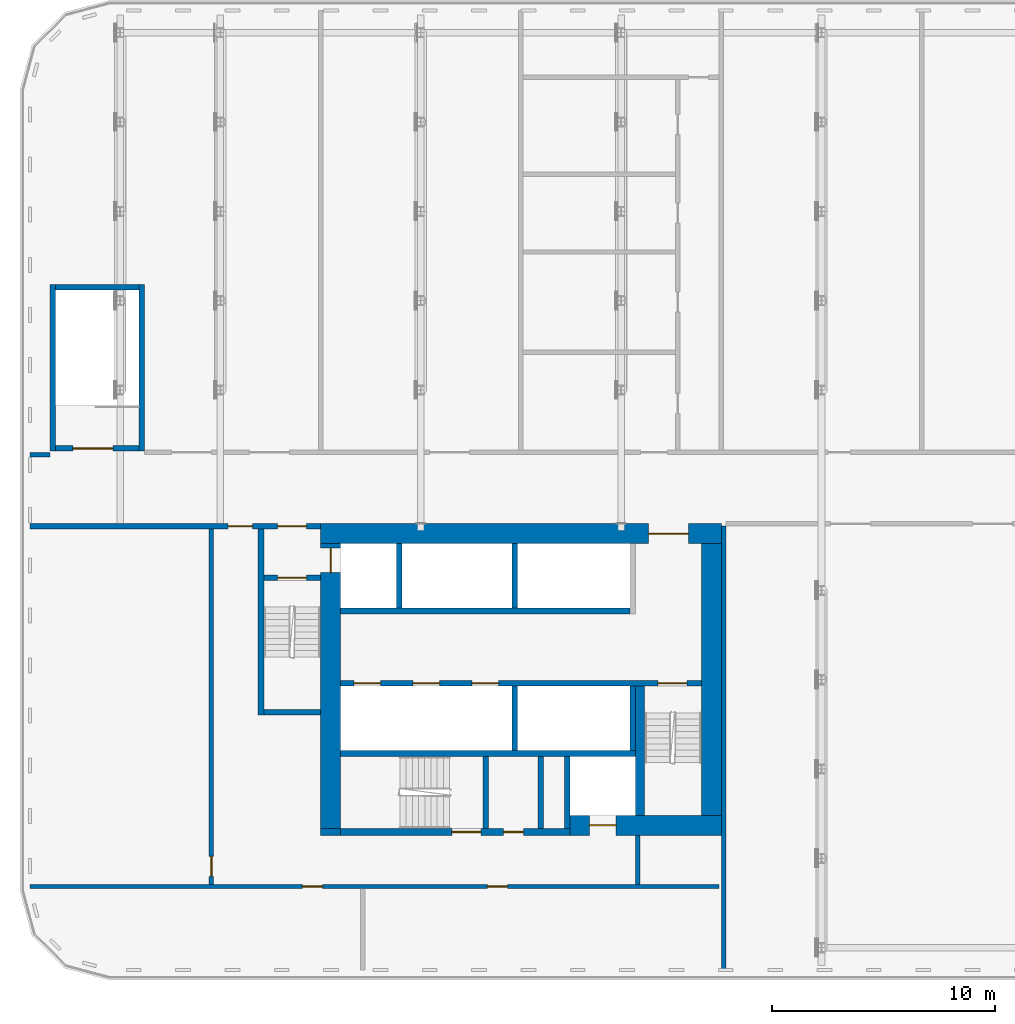
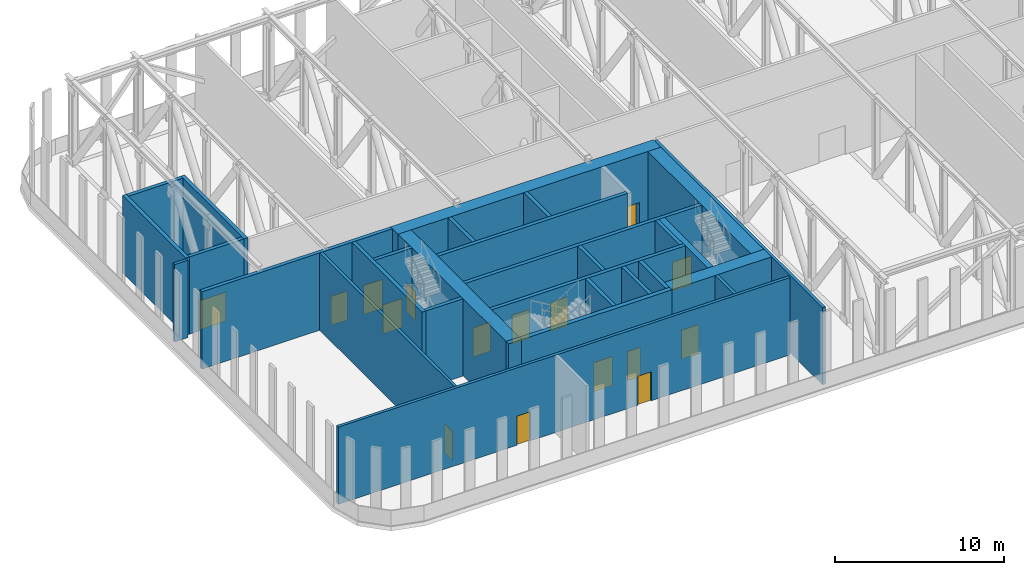
# One storey, part 6 of 26: 30 walls, 16 doors, 16 openings.
"""IFC4 building model written with IfcOpenShell, lengths in metres."""

from ifc_helpers import new_model, si_unit, direction, frame, frame_2d, origin, place, context, subcontext, project, spatial, rectangle, extrude, material, layer, layer_set, type_object, element, fill, save


model = new_model("IFC4")

# Units and contexts
model_context = context("Model", 3, precision=1e-05, world=origin(), true_north=direction((0.0, 1.0)))
body_context = subcontext(model_context, "Body", "Model", "MODEL_VIEW")
ifc_project = project(units=[si_unit("LENGTHUNIT", "METRE"), si_unit("AREAUNIT", "SQUARE_METRE"), si_unit("VOLUMEUNIT", "CUBIC_METRE"), si_unit("PLANEANGLEUNIT", "RADIAN"), si_unit("MASSUNIT", "GRAM", prefix="KILO")], contexts=[model_context])

# Site, building, storey
site_placement = place(None, origin())
site = spatial("IfcSite", under=ifc_project, at=site_placement, CompositionType="ELEMENT")
building_placement = place(site_placement, origin())
building = spatial("IfcBuilding", under=site, at=building_placement, Name="Kajstack Hotel Tower", CompositionType="ELEMENT")
storey_placement = place(building_placement, frame((0.0, 0.0, 47.0)))
storey = spatial("IfcBuildingStorey", under=building, at=storey_placement, Name="L07", CompositionType="ELEMENT", Elevation=47.0)

# Wall, opening, door
ifc_material_1 = material(Name="Concrete C60/75", Category="concrete")
ifc_layer_1 = layer(ifc_material_1, 0.89990234375)
ifc_layer_set_1 = layer_set([ifc_layer_1], Name="Core wall 900")
wall_type_1 = type_object("IfcWallType", Name="Core wall 900", PredefinedType="SHEAR", material=ifc_layer_set_1)
wall_1_placement = place(storey_placement, frame((-31.5, -1.949951171875, 0.0), z_axis=(0.0, 0.0, 1.0), x_axis=(1.0, 0.0, 0.0)))
wall_1 = element("IfcWall", 1, at=wall_1_placement, inside=storey, type_object=wall_type_1, Name="Core wall W RN", PredefinedType="SHEAR", context=body_context, shape_type="SweptSolid", body=[
    extrude(rectangle(XDim=18.0, YDim=0.89990234375, at=frame_2d((9.0, 0.0))), origin(), (0.0, 0.0, 1.0), 5.60009765625),
])
opening_1_placement = place(wall_1_placement, frame((14.72509765625, 0.0, 0.0)))
opening_1 = element("IfcOpeningElement", 2, at=opening_1_placement, cuts=wall_1, Name="Opening 07W06", PredefinedType="OPENING", context=body_context, shape_type="SweptSolid", body=[
    extrude(rectangle(XDim=1.800048828125, YDim=2.10009765625, at=frame_2d((0.89990234375, 1.050048828125))), frame((0.0, 0.4599609375, 0.0), z_axis=(0.0, -1.0, 0.0), x_axis=(1.0, 0.0, 0.0)), (0.0, 0.0, 1.0), 0.919921875),
])
ifc_material_2 = material(Name="Glazed steel frame, fire-rated glass", Category="steel")
door_type_1 = type_object("IfcDoorType", Name="Lobby double door 1800", OperationType="DOUBLE_DOOR_DOUBLE_SWING", PredefinedType="DOOR", material=ifc_material_2)
door_1_placement = place(opening_1_placement, origin())
door_1 = element("IfcDoor", 3, at=door_1_placement, inside=storey, type_object=door_type_1, Name="Door 07W06", OperationType="DOUBLE_DOOR_DOUBLE_SWING", OverallHeight=2.10009765625, OverallWidth=1.800048828125, PredefinedType="DOOR", context=body_context, shape_type="SweptSolid", body=[
    extrude(rectangle(XDim=1.800048828125, YDim=2.10009765625, at=frame_2d((0.89990234375, 1.050048828125))), frame((0.0, 0.02490234375, 0.0), z_axis=(0.0, -1.0, 0.0), x_axis=(1.0, 0.0, 0.0)), (0.0, 0.0, 1.0), 0.050048828125),
])
fill(opening_1, door_1)

wall_2_placement = place(storey_placement, frame((-20.300048828125, -15.050048828125, 0.0), z_axis=(0.0, 0.0, 1.0), x_axis=(1.0, 0.0, 0.0)))
wall_2 = element("IfcWall", 4, at=wall_2_placement, inside=storey, type_object=wall_type_1, Name="Core wall W RS", PredefinedType="SHEAR", context=body_context, shape_type="SweptSolid", body=[
    extrude(rectangle(XDim=6.800048828125, YDim=0.89990234375, at=frame_2d((3.39990234375, 0.0))), origin(), (0.0, 0.0, 1.0), 5.60009765625),
])
opening_2_placement = place(wall_2_placement, frame((0.875, 0.0, 0.0)))
opening_2 = element("IfcOpeningElement", 5, at=opening_2_placement, cuts=wall_2, Name="Opening LD-SV1", PredefinedType="OPENING", context=body_context, shape_type="SweptSolid", body=[
    extrude(rectangle(XDim=1.199951171875, YDim=2.10009765625, at=frame_2d((0.60009765625, 1.050048828125))), frame((0.0, 0.4599609375, 0.0), z_axis=(0.0, -1.0, 0.0), x_axis=(1.0, 0.0, 0.0)), (0.0, 0.0, 1.0), 0.919921875),
])
ifc_material_3 = material(Name="Stainless steel", Category="steel")
door_type_2 = type_object("IfcDoorType", Name="Lift landing door 1200", OperationType="SLIDING_TO_LEFT", PredefinedType="DOOR", material=ifc_material_3)
door_2_placement = place(opening_2_placement, origin())
door_2 = element("IfcDoor", 6, at=door_2_placement, inside=storey, type_object=door_type_2, Name="Landing door SV1", OperationType="SLIDING_TO_LEFT", OverallHeight=2.10009765625, OverallWidth=1.199951171875, PredefinedType="DOOR", context=body_context, shape_type="SweptSolid", body=[
    extrude(rectangle(XDim=1.199951171875, YDim=2.10009765625, at=frame_2d((0.60009765625, 1.050048828125))), frame((0.0, 0.02490234375, 0.0), z_axis=(0.0, -1.0, 0.0), x_axis=(1.0, 0.0, 0.0)), (0.0, 0.0, 1.0), 0.050048828125),
])
fill(opening_2, door_2)

# Wall
wall_3_placement = place(storey_placement, frame((-31.5, -15.35009765625, 0.0), z_axis=(0.0, 0.0, 1.0), x_axis=(1.0, 0.0, 0.0)))
element("IfcWall", 7, at=wall_3_placement, inside=storey, type_object=wall_type_1, Name="Core wall W RSW", PredefinedType="SHEAR", context=body_context, shape_type="SweptSolid", body=[
    extrude(rectangle(XDim=0.89990234375, YDim=0.300048828125, at=frame_2d((0.449951171875, 0.0))), origin(), (0.0, 0.0, 1.0), 5.60009765625),
])

# Wall, opening, door
wall_4_placement = place(storey_placement, frame((-31.050048828125, -15.199951171875, 0.0), z_axis=(0.0, 0.0, 1.0), x_axis=(0.0, 1.0, 0.0)))
wall_4 = element("IfcWall", 8, at=wall_4_placement, inside=storey, type_object=wall_type_1, Name="Core wall W RW", PredefinedType="SHEAR", context=body_context, shape_type="SweptSolid", body=[
    extrude(rectangle(XDim=12.800048828125, YDim=0.89990234375, at=frame_2d((6.39990234375, 0.0))), origin(), (0.0, 0.0, 1.0), 5.60009765625),
])
opening_3_placement = place(wall_4_placement, frame((11.5, 0.0, 0.0)))
opening_3 = element("IfcOpeningElement", 9, at=opening_3_placement, cuts=wall_4, Name="Opening LD-FF1", PredefinedType="OPENING", context=body_context, shape_type="SweptSolid", body=[
    extrude(rectangle(XDim=1.10009765625, YDim=2.10009765625, at=frame_2d((0.550048828125, 1.050048828125))), frame((0.0, 0.4599609375, 0.0), z_axis=(0.0, -1.0, 0.0), x_axis=(1.0, 0.0, 0.0)), (0.0, 0.0, 1.0), 0.919921875),
])
door_type_3 = type_object("IfcDoorType", Name="Fire-fighting lift landing door 1100", OperationType="SLIDING_TO_LEFT", PredefinedType="DOOR", material=ifc_material_3)
door_3_placement = place(opening_3_placement, origin())
door_3 = element("IfcDoor", 10, at=door_3_placement, inside=storey, type_object=door_type_3, Name="Landing door FF1", OperationType="SLIDING_TO_RIGHT", OverallHeight=2.10009765625, OverallWidth=1.10009765625, PredefinedType="DOOR", context=body_context, shape_type="SweptSolid", body=[
    extrude(rectangle(XDim=1.10009765625, YDim=2.10009765625, at=frame_2d((0.550048828125, 1.050048828125))), frame((0.0, 0.02490234375, 0.0), z_axis=(0.0, -1.0, 0.0), x_axis=(1.0, 0.0, 0.0)), (0.0, 0.0, 1.0), 0.050048828125),
])
fill(opening_3, door_3)

# Walls
wall_5_placement = place(storey_placement, frame((-13.949951171875, -14.60009765625, 0.0), z_axis=(0.0, 0.0, 1.0), x_axis=(0.0, 1.0, 0.0)))
element("IfcWall", 11, at=wall_5_placement, inside=storey, type_object=wall_type_1, Name="Core wall W RE", PredefinedType="SHEAR", context=body_context, shape_type="SweptSolid", body=[
    extrude(rectangle(XDim=12.2001953125, YDim=0.89990234375, at=frame_2d((6.10009765625, 0.0))), origin(), (0.0, 0.0, 1.0), 5.60009765625),
])
ifc_material_4 = material(Name="Concrete C50/60", Category="concrete")
ifc_layer_2 = layer(ifc_material_4, 0.300048828125)
ifc_layer_set_2 = layer_set([ifc_layer_2], Name="Hoistway divider wall 300")
wall_type_2 = type_object("IfcWallType", Name="Hoistway divider wall 300", PredefinedType="SHEAR", material=ifc_layer_set_2)
wall_6_placement = place(storey_placement, frame((-22.77490234375, -5.300048828125, 0.0), z_axis=(0.0, 0.0, 1.0), x_axis=(0.0, 1.0, 0.0)))
element("IfcWall", 12, at=wall_6_placement, inside=storey, type_object=wall_type_2, Name="Core wall W AP2", PredefinedType="SHEAR", context=body_context, shape_type="SweptSolid", body=[
    extrude(rectangle(XDim=2.900146484375, YDim=0.25, at=frame_2d((1.4501953125, 0.0))), origin(), (0.0, 0.0, 1.0), 5.60009765625),
])
wall_7_placement = place(storey_placement, frame((-22.77490234375, -11.699951171875, 0.0), z_axis=(0.0, 0.0, 1.0), x_axis=(0.0, 1.0, 0.0)))
element("IfcWall", 13, at=wall_7_placement, inside=storey, type_object=wall_type_2, Name="Core wall W BP2", PredefinedType="SHEAR", context=body_context, shape_type="SweptSolid", body=[
    extrude(rectangle(XDim=2.89990234375, YDim=0.25, at=frame_2d((1.449951171875, 0.0))), origin(), (0.0, 0.0, 1.0), 5.60009765625),
])
ifc_material_5 = material(Name="Gypsum board on steel studs, mineral wool", Category="steel")
ifc_layer_3 = layer(ifc_material_5, 0.199951171875)
ifc_layer_set_3 = layer_set([ifc_layer_3], Name="Public partition 200")
wall_type_3 = type_object("IfcWallType", Name="Public partition 200", PredefinedType="PARTITIONING", material=ifc_layer_set_3)
wall_8_placement = place(storey_placement, frame((-44.550048828125, 1.60009765625, 0.0), z_axis=(0.0, 0.0, 1.0), x_axis=(1.0, 0.0, 0.0)))
element("IfcWall", 14, at=wall_8_placement, inside=storey, type_object=wall_type_3, Name="Partition FWW", PredefinedType="PARTITIONING", context=body_context, shape_type="SweptSolid", body=[
    extrude(rectangle(XDim=0.900146484375, YDim=0.199951171875, at=frame_2d((0.4501953125, 0.0))), origin(), (0.0, 0.0, 1.0), 5.60009765625),
])
wall_9_placement = place(storey_placement, frame((-13.39990234375, -21.550048828125, 0.0), z_axis=(0.0, 0.0, 1.0), x_axis=(0.0, 1.0, 0.0)))
element("IfcWall", 15, at=wall_9_placement, inside=storey, type_object=wall_type_3, Name="Partition SEW", PredefinedType="PARTITIONING", context=body_context, shape_type="SweptSolid", body=[
    extrude(rectangle(XDim=19.949951171875, YDim=0.199951171875, at=frame_2d((9.97509765625, 0.0))), origin(), (0.0, 0.0, 1.0), 5.60009765625),
])
ifc_material_6 = material(Name="Concrete block masonry", Category="masonry")
ifc_layer_4 = layer(ifc_material_6, 0.25)
ifc_layer_set_4 = layer_set([ifc_layer_4], Name="Riser partition 250")
wall_type_4 = type_object("IfcWallType", Name="Riser partition 250", PredefinedType="PARTITIONING", material=ifc_layer_set_4)
wall_10_placement = place(storey_placement, frame((-21.60009765625, -15.199951171875, 0.0), z_axis=(0.0, 0.0, 1.0), x_axis=(0.0, 1.0, 0.0)))
element("IfcWall", 16, at=wall_10_placement, inside=storey, type_object=wall_type_4, Name="Partition W SZ0", PredefinedType="PARTITIONING", context=body_context, shape_type="SweptSolid", body=[
    extrude(rectangle(XDim=3.25, YDim=0.25, at=frame_2d((1.625, 0.0))), origin(), (0.0, 0.0, 1.0), 5.60009765625),
])

# Wall, openings, doors
ifc_layer_5 = layer(ifc_material_5, 0.199951171875)
ifc_layer_set_5 = layer_set([ifc_layer_5], Name="Service partition 200")
wall_type_5 = type_object("IfcWallType", Name="Service partition 200", PredefinedType="PARTITIONING", material=ifc_layer_set_5)
wall_11_placement = place(storey_placement, frame((-44.550048828125, -1.625, 0.0), z_axis=(0.0, 0.0, 1.0), x_axis=(1.0, 0.0, 0.0)))
wall_11 = element("IfcWall", 17, at=wall_11_placement, inside=storey, type_object=wall_type_5, Name="Partition W SN", PredefinedType="PARTITIONING", context=body_context, shape_type="SweptSolid", body=[
    extrude(rectangle(XDim=13.050048828125, YDim=0.25, at=frame_2d((6.52490234375, 0.0))), origin(), (0.0, 0.0, 1.0), 5.60009765625),
])
opening_4_placement = place(wall_11_placement, frame((11.125, 0.0, 0.0)))
opening_4 = element("IfcOpeningElement", 18, at=opening_4_placement, cuts=wall_11, Name="Opening 07W07", PredefinedType="OPENING", context=body_context, shape_type="SweptSolid", body=[
    extrude(rectangle(XDim=1.300048828125, YDim=2.10009765625, at=frame_2d((0.64990234375, 1.050048828125))), frame((0.0, 0.135009765625, 0.0), z_axis=(0.0, -1.0, 0.0), x_axis=(1.0, 0.0, 0.0)), (0.0, 0.0, 1.0), 0.27001953125),
])
opening_5_placement = place(wall_11_placement, frame((8.89990234375, 0.0, 0.0)))
opening_5 = element("IfcOpeningElement", 19, at=opening_5_placement, cuts=wall_11, Name="Opening 07W09", PredefinedType="OPENING", context=body_context, shape_type="SweptSolid", body=[
    extrude(rectangle(XDim=1.10009765625, YDim=2.10009765625, at=frame_2d((0.550048828125, 1.050048828125))), frame((0.0, 0.135009765625, 0.0), z_axis=(0.0, -1.0, 0.0), x_axis=(1.0, 0.0, 0.0)), (0.0, 0.0, 1.0), 0.27001953125),
])
ifc_material_7 = material(Name="Steel leaf, fire-rated", Category="steel")
door_type_4 = type_object("IfcDoorType", Name="Fire lobby door 1300", OperationType="SINGLE_SWING_LEFT", PredefinedType="DOOR", material=ifc_material_7)
door_4_placement = place(opening_4_placement, origin())
door_4 = element("IfcDoor", 20, at=door_4_placement, inside=storey, type_object=door_type_4, Name="Door 07W07", OperationType="SINGLE_SWING_RIGHT", OverallHeight=2.10009765625, OverallWidth=1.300048828125, PredefinedType="DOOR", context=body_context, shape_type="SweptSolid", body=[
    extrude(rectangle(XDim=1.300048828125, YDim=2.10009765625, at=frame_2d((0.64990234375, 1.050048828125))), frame((0.0, 0.02490234375, 0.0), z_axis=(0.0, -1.0, 0.0), x_axis=(1.0, 0.0, 0.0)), (0.0, 0.0, 1.0), 0.050048828125),
])
fill(opening_4, door_4)
ifc_material_8 = material(Name="Timber leaf, fire-rated", Category="wood")
door_type_5 = type_object("IfcDoorType", Name="Service corridor door 1100", OperationType="SINGLE_SWING_LEFT", PredefinedType="DOOR", material=ifc_material_8)
door_5_placement = place(opening_5_placement, origin())
door_5 = element("IfcDoor", 21, at=door_5_placement, inside=storey, type_object=door_type_5, Name="Door 07W09", OperationType="SINGLE_SWING_RIGHT", OverallHeight=2.10009765625, OverallWidth=1.10009765625, PredefinedType="DOOR", context=body_context, shape_type="SweptSolid", body=[
    extrude(rectangle(XDim=1.10009765625, YDim=2.10009765625, at=frame_2d((0.550048828125, 1.050048828125))), frame((0.0, 0.02490234375, 0.0), z_axis=(0.0, -1.0, 0.0), x_axis=(1.0, 0.0, 0.0)), (0.0, 0.0, 1.0), 0.050048828125),
])
fill(opening_5, door_5)

# Wall
wall_12_placement = place(storey_placement, frame((-17.25, -17.699951171875, 0.0), z_axis=(0.0, 0.0, 1.0), x_axis=(0.0, 1.0, 0.0)))
element("IfcWall", 22, at=wall_12_placement, inside=storey, type_object=wall_type_5, Name="Partition W SCE", PredefinedType="PARTITIONING", context=body_context, shape_type="SweptSolid", body=[
    extrude(rectangle(XDim=2.199951171875, YDim=0.199951171875, at=frame_2d((1.10009765625, 0.0))), origin(), (0.0, 0.0, 1.0), 5.60009765625),
])

# Wall, opening, door
wall_13_placement = place(storey_placement, frame((-36.39990234375, -17.699951171875, 0.0), z_axis=(0.0, 0.0, 1.0), x_axis=(0.0, 1.0, 0.0)))
wall_13 = element("IfcWall", 23, at=wall_13_placement, inside=storey, type_object=wall_type_5, Name="Partition W WRE", PredefinedType="PARTITIONING", context=body_context, shape_type="SweptSolid", body=[
    extrude(rectangle(XDim=15.949951171875, YDim=0.199951171875, at=frame_2d((7.97509765625, 0.0))), origin(), (0.0, 0.0, 1.0), 5.60009765625),
])
opening_6_placement = place(wall_13_placement, frame((0.35009765625, 0.0, 0.0)))
opening_6 = element("IfcOpeningElement", 24, at=opening_6_placement, cuts=wall_13, Name="Opening 07W15", PredefinedType="OPENING", context=body_context, shape_type="SweptSolid", body=[
    extrude(rectangle(XDim=0.89990234375, YDim=2.10009765625, at=frame_2d((0.449951171875, 1.050048828125))), frame((0.0, 0.10986328125, 0.0), z_axis=(0.0, -1.0, 0.0), x_axis=(1.0, 0.0, 0.0)), (0.0, 0.0, 1.0), 0.219970703125),
])
door_type_6 = type_object("IfcDoorType", Name="Service door 900", OperationType="SINGLE_SWING_LEFT", PredefinedType="DOOR", material=ifc_material_8)
door_6_placement = place(opening_6_placement, origin())
door_6 = element("IfcDoor", 25, at=door_6_placement, inside=storey, type_object=door_type_6, Name="Door 07W15", OperationType="SINGLE_SWING_LEFT", OverallHeight=2.10009765625, OverallWidth=0.89990234375, PredefinedType="DOOR", context=body_context, shape_type="SweptSolid", body=[
    extrude(rectangle(XDim=0.89990234375, YDim=2.10009765625, at=frame_2d((0.449951171875, 1.050048828125))), frame((0.0, 0.02490234375, 0.0), z_axis=(0.0, -1.0, 0.0), x_axis=(1.0, 0.0, 0.0)), (0.0, 0.0, 1.0), 0.050048828125),
])
fill(opening_6, door_6)

# Wall, openings, doors
wall_14_placement = place(storey_placement, frame((-44.550048828125, -17.800048828125, 0.0), z_axis=(0.0, 0.0, 1.0), x_axis=(1.0, 0.0, 0.0)))
wall_14 = element("IfcWall", 26, at=wall_14_placement, inside=storey, type_object=wall_type_5, Name="Partition W SLN", PredefinedType="PARTITIONING", context=body_context, shape_type="SweptSolid", body=[
    extrude(rectangle(XDim=30.949951171875, YDim=0.199951171875, at=frame_2d((15.47509765625, 0.0))), origin(), (0.0, 0.0, 1.0), 5.60009765625),
])
opening_7_placement = place(wall_14_placement, frame((12.237548828125, 0.0, 0.0)))
opening_7 = element("IfcOpeningElement", 27, at=opening_7_placement, cuts=wall_14, Name="Opening 07W13", PredefinedType="OPENING", context=body_context, shape_type="SweptSolid", body=[
    extrude(rectangle(XDim=0.89990234375, YDim=2.10009765625, at=frame_2d((0.449951171875, 1.050048828125))), frame((0.0, 0.10986328125, 0.0), z_axis=(0.0, -1.0, 0.0), x_axis=(1.0, 0.0, 0.0)), (0.0, 0.0, 1.0), 0.219970703125),
])
opening_8_placement = place(wall_14_placement, frame((20.53759765625, 0.0, 0.0)))
opening_8 = element("IfcOpeningElement", 28, at=opening_8_placement, cuts=wall_14, Name="Opening 07W14", PredefinedType="OPENING", context=body_context, shape_type="SweptSolid", body=[
    extrude(rectangle(XDim=0.89990234375, YDim=2.10009765625, at=frame_2d((0.449951171875, 1.050048828125))), frame((0.0, 0.10986328125, 0.0), z_axis=(0.0, -1.0, 0.0), x_axis=(1.0, 0.0, 0.0)), (0.0, 0.0, 1.0), 0.219970703125),
])
door_7_placement = place(opening_7_placement, origin())
door_7 = element("IfcDoor", 29, at=door_7_placement, inside=storey, type_object=door_type_6, Name="Door 07W13", OperationType="SINGLE_SWING_RIGHT", OverallHeight=2.10009765625, OverallWidth=0.89990234375, PredefinedType="DOOR", context=body_context, shape_type="SweptSolid", body=[
    extrude(rectangle(XDim=0.89990234375, YDim=2.10009765625, at=frame_2d((0.449951171875, 1.050048828125))), frame((0.0, 0.02490234375, 0.0), z_axis=(0.0, -1.0, 0.0), x_axis=(1.0, 0.0, 0.0)), (0.0, 0.0, 1.0), 0.050048828125),
])
fill(opening_7, door_7)
door_8_placement = place(opening_8_placement, origin())
door_8 = element("IfcDoor", 30, at=door_8_placement, inside=storey, type_object=door_type_6, Name="Door 07W14", OperationType="SINGLE_SWING_RIGHT", OverallHeight=2.10009765625, OverallWidth=0.89990234375, PredefinedType="DOOR", context=body_context, shape_type="SweptSolid", body=[
    extrude(rectangle(XDim=0.89990234375, YDim=2.10009765625, at=frame_2d((0.449951171875, 1.050048828125))), frame((0.0, 0.02490234375, 0.0), z_axis=(0.0, -1.0, 0.0), x_axis=(1.0, 0.0, 0.0)), (0.0, 0.0, 1.0), 0.050048828125),
])
fill(opening_8, door_8)

ifc_layer_6 = layer(ifc_material_4, 0.25)
ifc_layer_set_6 = layer_set([ifc_layer_6], Name="Shaft wall 250")
wall_type_6 = type_object("IfcWallType", Name="Shaft wall 250", PredefinedType="SHEAR", material=ifc_layer_set_6)
wall_15_placement = place(storey_placement, frame((-30.60009765625, -15.35009765625, 0.0), z_axis=(0.0, 0.0, 1.0), x_axis=(1.0, 0.0, 0.0)))
wall_15 = element("IfcWall", 31, at=wall_15_placement, inside=storey, type_object=wall_type_6, Name="Core wall W RSS", PredefinedType="SHEAR", context=body_context, shape_type="SweptSolid", body=[
    extrude(rectangle(XDim=10.300048828125, YDim=0.300048828125, at=frame_2d((5.14990234375, 0.0))), origin(), (0.0, 0.0, 1.0), 5.60009765625),
])
opening_9_placement = place(wall_15_placement, frame((5.0, 0.0, 0.0)))
opening_9 = element("IfcOpeningElement", 32, at=opening_9_placement, cuts=wall_15, Name="Opening 07W11", PredefinedType="OPENING", context=body_context, shape_type="SweptSolid", body=[
    extrude(rectangle(XDim=1.300048828125, YDim=2.10009765625, at=frame_2d((0.64990234375, 1.050048828125))), frame((0.0, 0.159912109375, 0.0), z_axis=(0.0, -1.0, 0.0), x_axis=(1.0, 0.0, 0.0)), (0.0, 0.0, 1.0), 0.320068359375),
])
opening_10_placement = place(wall_15_placement, frame((7.3125, 0.0, 0.0)))
opening_10 = element("IfcOpeningElement", 33, at=opening_10_placement, cuts=wall_15, Name="Opening 07W12", PredefinedType="OPENING", context=body_context, shape_type="SweptSolid", body=[
    extrude(rectangle(XDim=0.89990234375, YDim=2.10009765625, at=frame_2d((0.449951171875, 1.050048828125))), frame((0.0, 0.159912109375, 0.0), z_axis=(0.0, -1.0, 0.0), x_axis=(1.0, 0.0, 0.0)), (0.0, 0.0, 1.0), 0.320068359375),
])
door_9_placement = place(opening_10_placement, origin())
door_9 = element("IfcDoor", 34, at=door_9_placement, inside=storey, type_object=door_type_6, Name="Door 07W12", OperationType="SINGLE_SWING_LEFT", OverallHeight=2.10009765625, OverallWidth=0.89990234375, PredefinedType="DOOR", context=body_context, shape_type="SweptSolid", body=[
    extrude(rectangle(XDim=0.89990234375, YDim=2.10009765625, at=frame_2d((0.449951171875, 1.050048828125))), frame((0.0, 0.02490234375, 0.0), z_axis=(0.0, -1.0, 0.0), x_axis=(1.0, 0.0, 0.0)), (0.0, 0.0, 1.0), 0.050048828125),
])
fill(opening_10, door_9)
door_type_7 = type_object("IfcDoorType", Name="Stair door 1300", OperationType="SINGLE_SWING_LEFT", PredefinedType="DOOR", material=ifc_material_7)
door_10_placement = place(opening_9_placement, origin())
door_10 = element("IfcDoor", 35, at=door_10_placement, inside=storey, type_object=door_type_7, Name="Door 07W11", OperationType="SINGLE_SWING_RIGHT", OverallHeight=2.10009765625, OverallWidth=1.300048828125, PredefinedType="DOOR", context=body_context, shape_type="SweptSolid", body=[
    extrude(rectangle(XDim=1.300048828125, YDim=2.10009765625, at=frame_2d((0.64990234375, 1.050048828125))), frame((0.0, 0.02490234375, 0.0), z_axis=(0.0, -1.0, 0.0), x_axis=(1.0, 0.0, 0.0)), (0.0, 0.0, 1.0), 0.050048828125),
])
fill(opening_9, door_10)

# Walls
wall_16_placement = place(storey_placement, frame((-30.60009765625, -5.425048828125, 0.0), z_axis=(0.0, 0.0, 1.0), x_axis=(1.0, 0.0, 0.0)))
element("IfcWall", 36, at=wall_16_placement, inside=storey, type_object=wall_type_6, Name="Core wall W FA", PredefinedType="SHEAR", context=body_context, shape_type="SweptSolid", body=[
    extrude(rectangle(XDim=13.0, YDim=0.25, at=frame_2d((6.5, 0.0))), origin(), (0.0, 0.0, 1.0), 5.60009765625),
])
wall_17_placement = place(storey_placement, frame((-27.97509765625, -5.300048828125, 0.0), z_axis=(0.0, 0.0, 1.0), x_axis=(0.0, 1.0, 0.0)))
element("IfcWall", 37, at=wall_17_placement, inside=storey, type_object=wall_type_6, Name="Core wall W AP0", PredefinedType="SHEAR", context=body_context, shape_type="SweptSolid", body=[
    extrude(rectangle(XDim=2.900146484375, YDim=0.25, at=frame_2d((1.4501953125, 0.0))), origin(), (0.0, 0.0, 1.0), 5.60009765625),
])

# Wall, openings, doors
wall_18_placement = place(storey_placement, frame((-30.60009765625, -8.675048828125, 0.0), z_axis=(0.0, 0.0, 1.0), x_axis=(1.0, 0.0, 0.0)))
wall_18 = element("IfcWall", 38, at=wall_18_placement, inside=storey, type_object=wall_type_6, Name="Core wall W FB", PredefinedType="SHEAR", context=body_context, shape_type="SweptSolid", body=[
    extrude(rectangle(XDim=16.2001953125, YDim=0.25, at=frame_2d((8.10009765625, 0.0))), origin(), (0.0, 0.0, 1.0), 5.60009765625),
])
opening_11_placement = place(wall_18_placement, frame((0.60009765625, 0.0, 0.0)))
opening_11 = element("IfcOpeningElement", 39, at=opening_11_placement, cuts=wall_18, Name="Opening LD-LR1", PredefinedType="OPENING", context=body_context, shape_type="SweptSolid", body=[
    extrude(rectangle(XDim=1.199951171875, YDim=2.10009765625, at=frame_2d((0.60009765625, 1.050048828125))), frame((0.0, 0.135009765625, 0.0), z_axis=(0.0, -1.0, 0.0), x_axis=(1.0, 0.0, 0.0)), (0.0, 0.0, 1.0), 0.27001953125),
])
opening_12_placement = place(wall_18_placement, frame((3.25, 0.0, 0.0)))
opening_12 = element("IfcOpeningElement", 40, at=opening_12_placement, cuts=wall_18, Name="Opening LD-LR2", PredefinedType="OPENING", context=body_context, shape_type="SweptSolid", body=[
    extrude(rectangle(XDim=1.199951171875, YDim=2.10009765625, at=frame_2d((0.60009765625, 1.050048828125))), frame((0.0, 0.135009765625, 0.0), z_axis=(0.0, -1.0, 0.0), x_axis=(1.0, 0.0, 0.0)), (0.0, 0.0, 1.0), 0.27001953125),
])
opening_13_placement = place(wall_18_placement, frame((5.89990234375, 0.0, 0.0)))
opening_13 = element("IfcOpeningElement", 41, at=opening_13_placement, cuts=wall_18, Name="Opening LD-LR3", PredefinedType="OPENING", context=body_context, shape_type="SweptSolid", body=[
    extrude(rectangle(XDim=1.199951171875, YDim=2.10009765625, at=frame_2d((0.60009765625, 1.050048828125))), frame((0.0, 0.135009765625, 0.0), z_axis=(0.0, -1.0, 0.0), x_axis=(1.0, 0.0, 0.0)), (0.0, 0.0, 1.0), 0.27001953125),
])
opening_14_placement = place(wall_18_placement, frame((14.25, 0.0, 0.0)))
opening_14 = element("IfcOpeningElement", 42, at=opening_14_placement, cuts=wall_18, Name="Opening 07W10", PredefinedType="OPENING", context=body_context, shape_type="SweptSolid", body=[
    extrude(rectangle(XDim=1.300048828125, YDim=2.10009765625, at=frame_2d((0.64990234375, 1.050048828125))), frame((0.0, 0.135009765625, 0.0), z_axis=(0.0, -1.0, 0.0), x_axis=(1.0, 0.0, 0.0)), (0.0, 0.0, 1.0), 0.27001953125),
])
door_11_placement = place(opening_11_placement, origin())
door_11 = element("IfcDoor", 43, at=door_11_placement, inside=storey, type_object=door_type_2, Name="Landing door LR1", OperationType="SLIDING_TO_LEFT", OverallHeight=2.10009765625, OverallWidth=1.199951171875, PredefinedType="DOOR", context=body_context, shape_type="SweptSolid", body=[
    extrude(rectangle(XDim=1.199951171875, YDim=2.10009765625, at=frame_2d((0.60009765625, 1.050048828125))), frame((0.0, 0.02490234375, 0.0), z_axis=(0.0, -1.0, 0.0), x_axis=(1.0, 0.0, 0.0)), (0.0, 0.0, 1.0), 0.050048828125),
])
fill(opening_11, door_11)
door_12_placement = place(opening_12_placement, origin())
door_12 = element("IfcDoor", 44, at=door_12_placement, inside=storey, type_object=door_type_2, Name="Landing door LR2", OperationType="SLIDING_TO_RIGHT", OverallHeight=2.10009765625, OverallWidth=1.199951171875, PredefinedType="DOOR", context=body_context, shape_type="SweptSolid", body=[
    extrude(rectangle(XDim=1.199951171875, YDim=2.10009765625, at=frame_2d((0.60009765625, 1.050048828125))), frame((0.0, 0.02490234375, 0.0), z_axis=(0.0, -1.0, 0.0), x_axis=(1.0, 0.0, 0.0)), (0.0, 0.0, 1.0), 0.050048828125),
])
fill(opening_12, door_12)
door_13_placement = place(opening_13_placement, origin())
door_13 = element("IfcDoor", 45, at=door_13_placement, inside=storey, type_object=door_type_2, Name="Landing door LR3", OperationType="SLIDING_TO_RIGHT", OverallHeight=2.10009765625, OverallWidth=1.199951171875, PredefinedType="DOOR", context=body_context, shape_type="SweptSolid", body=[
    extrude(rectangle(XDim=1.199951171875, YDim=2.10009765625, at=frame_2d((0.60009765625, 1.050048828125))), frame((0.0, 0.02490234375, 0.0), z_axis=(0.0, -1.0, 0.0), x_axis=(1.0, 0.0, 0.0)), (0.0, 0.0, 1.0), 0.050048828125),
])
fill(opening_13, door_13)
door_14_placement = place(opening_14_placement, origin())
door_14 = element("IfcDoor", 46, at=door_14_placement, inside=storey, type_object=door_type_7, Name="Door 07W10", OperationType="SINGLE_SWING_RIGHT", OverallHeight=2.10009765625, OverallWidth=1.300048828125, PredefinedType="DOOR", context=body_context, shape_type="SweptSolid", body=[
    extrude(rectangle(XDim=1.300048828125, YDim=2.10009765625, at=frame_2d((0.64990234375, 1.050048828125))), frame((0.0, 0.02490234375, 0.0), z_axis=(0.0, -1.0, 0.0), x_axis=(1.0, 0.0, 0.0)), (0.0, 0.0, 1.0), 0.050048828125),
])
fill(opening_14, door_14)

# Walls
wall_19_placement = place(storey_placement, frame((-30.60009765625, -11.824951171875, 0.0), z_axis=(0.0, 0.0, 1.0), x_axis=(1.0, 0.0, 0.0)))
element("IfcWall", 47, at=wall_19_placement, inside=storey, type_object=wall_type_6, Name="Core wall W RB", PredefinedType="SHEAR", context=body_context, shape_type="SweptSolid", body=[
    extrude(rectangle(XDim=13.25, YDim=0.25, at=frame_2d((6.625, 0.0))), origin(), (0.0, 0.0, 1.0), 5.60009765625),
])
wall_20_placement = place(storey_placement, frame((-17.47509765625, -11.699951171875, 0.0), z_axis=(0.0, 0.0, 1.0), x_axis=(0.0, 1.0, 0.0)))
element("IfcWall", 48, at=wall_20_placement, inside=storey, type_object=wall_type_6, Name="Core wall W BE", PredefinedType="SHEAR", context=body_context, shape_type="SweptSolid", body=[
    extrude(rectangle(XDim=2.89990234375, YDim=0.25, at=frame_2d((1.449951171875, 0.0))), origin(), (0.0, 0.0, 1.0), 5.60009765625),
])
wall_21_placement = place(storey_placement, frame((-20.425048828125, -15.199951171875, 0.0), z_axis=(0.0, 0.0, 1.0), x_axis=(0.0, 1.0, 0.0)))
element("IfcWall", 49, at=wall_21_placement, inside=storey, type_object=wall_type_6, Name="Core wall W SVW", PredefinedType="SHEAR", context=body_context, shape_type="SweptSolid", body=[
    extrude(rectangle(XDim=3.25, YDim=0.25, at=frame_2d((1.625, 0.0))), origin(), (0.0, 0.0, 1.0), 5.60009765625),
])

# Wall, opening, door
ifc_material_9 = material(Name="Concrete C40/50", Category="concrete")
ifc_layer_7 = layer(ifc_material_9, 0.25)
ifc_layer_set_7 = layer_set([ifc_layer_7], Name="Stair enclosure wall 250")
wall_type_7 = type_object("IfcWallType", Name="Stair enclosure wall 250", PredefinedType="SHEAR", material=ifc_layer_set_7)
wall_22_placement = place(storey_placement, frame((-34.050048828125, -3.925048828125, 0.0), z_axis=(0.0, 0.0, 1.0), x_axis=(1.0, 0.0, 0.0)))
wall_22 = element("IfcWall", 50, at=wall_22_placement, inside=storey, type_object=wall_type_7, Name="Core wall W W1N", PredefinedType="SHEAR", context=body_context, shape_type="SweptSolid", body=[
    extrude(rectangle(XDim=2.550048828125, YDim=0.25, at=frame_2d((1.27490234375, 0.0))), origin(), (0.0, 0.0, 1.0), 5.60009765625),
])
opening_15_placement = place(wall_22_placement, frame((0.625, 0.0, 0.0)))
opening_15 = element("IfcOpeningElement", 51, at=opening_15_placement, cuts=wall_22, Name="Opening 07W08", PredefinedType="OPENING", context=body_context, shape_type="SweptSolid", body=[
    extrude(rectangle(XDim=1.300048828125, YDim=2.10009765625, at=frame_2d((0.64990234375, 1.050048828125))), frame((0.0, 0.135009765625, 0.0), z_axis=(0.0, -1.0, 0.0), x_axis=(1.0, 0.0, 0.0)), (0.0, 0.0, 1.0), 0.27001953125),
])
door_15_placement = place(opening_15_placement, origin())
door_15 = element("IfcDoor", 52, at=door_15_placement, inside=storey, type_object=door_type_7, Name="Door 07W08", OperationType="SINGLE_SWING_RIGHT", OverallHeight=2.10009765625, OverallWidth=1.300048828125, PredefinedType="DOOR", context=body_context, shape_type="SweptSolid", body=[
    extrude(rectangle(XDim=1.300048828125, YDim=2.10009765625, at=frame_2d((0.64990234375, 1.050048828125))), frame((0.0, 0.02490234375, 0.0), z_axis=(0.0, -1.0, 0.0), x_axis=(1.0, 0.0, 0.0)), (0.0, 0.0, 1.0), 0.050048828125),
])
fill(opening_15, door_15)

# Walls
wall_23_placement = place(storey_placement, frame((-34.175048828125, -10.10009765625, 0.0), z_axis=(0.0, 0.0, 1.0), x_axis=(0.0, 1.0, 0.0)))
element("IfcWall", 53, at=wall_23_placement, inside=storey, type_object=wall_type_7, Name="Core wall W W1W", PredefinedType="SHEAR", context=body_context, shape_type="SweptSolid", body=[
    extrude(rectangle(XDim=8.35009765625, YDim=0.25, at=frame_2d((4.175048828125, 0.0))), origin(), (0.0, 0.0, 1.0), 5.60009765625),
])
wall_24_placement = place(storey_placement, frame((-34.050048828125, -9.97509765625, 0.0), z_axis=(0.0, 0.0, 1.0), x_axis=(1.0, 0.0, 0.0)))
element("IfcWall", 54, at=wall_24_placement, inside=storey, type_object=wall_type_7, Name="Core wall W W1S", PredefinedType="SHEAR", context=body_context, shape_type="SweptSolid", body=[
    extrude(rectangle(XDim=2.550048828125, YDim=0.25, at=frame_2d((1.27490234375, 0.0))), origin(), (0.0, 0.0, 1.0), 5.60009765625),
])
for number, where, z_axis, x_axis, name in (
    (55, (-43.52490234375, 1.75, 0.0), (0.0, 0.0, 1.0), (0.0, 1.0, 0.0), "Stair wall P1 W"),
    (56, (-39.52490234375, 1.75, 0.0), (0.0, 0.0, 1.0), (0.0, 1.0, 0.0), "Stair wall P1 E"),
):
    element("IfcWall", number, at=place(storey_placement, frame(where, z_axis=z_axis, x_axis=x_axis)), inside=storey, type_object=wall_type_7, Name=name, PredefinedType="SHEAR", context=body_context, shape_type="SweptSolid", body=[
        extrude(rectangle(XDim=7.5, YDim=0.25, at=frame_2d((3.75, 0.0))), origin(), (0.0, 0.0, 1.0), 5.60009765625),
    ])
wall_25_placement = place(storey_placement, frame((-43.39990234375, 9.125, 0.0), z_axis=(0.0, 0.0, 1.0), x_axis=(1.0, 0.0, 0.0)))
element("IfcWall", 57, at=wall_25_placement, inside=storey, type_object=wall_type_7, Name="Stair wall P1 F", PredefinedType="SHEAR", context=body_context, shape_type="SweptSolid", body=[
    extrude(rectangle(XDim=3.75, YDim=0.25, at=frame_2d((1.875, 0.0))), origin(), (0.0, 0.0, 1.0), 5.60009765625),
])

# Wall, opening, door
wall_26_placement = place(storey_placement, frame((-43.39990234375, 1.875, 0.0), z_axis=(0.0, 0.0, 1.0), x_axis=(1.0, 0.0, 0.0)))
wall_26 = element("IfcWall", 58, at=wall_26_placement, inside=storey, type_object=wall_type_7, Name="Stair wall P1 N", PredefinedType="SHEAR", context=body_context, shape_type="SweptSolid", body=[
    extrude(rectangle(XDim=3.75, YDim=0.25, at=frame_2d((1.875, 0.0))), origin(), (0.0, 0.0, 1.0), 5.60009765625),
])
opening_16_placement = place(wall_26_placement, frame((0.77490234375, 0.0, 0.0)))
opening_16 = element("IfcOpeningElement", 59, at=opening_16_placement, cuts=wall_26, Name="Opening 07P1", PredefinedType="OPENING", context=body_context, shape_type="SweptSolid", body=[
    extrude(rectangle(XDim=1.800048828125, YDim=2.10009765625, at=frame_2d((0.89990234375, 1.050048828125))), frame((0.0, 0.135009765625, 0.0), z_axis=(0.0, -1.0, 0.0), x_axis=(1.0, 0.0, 0.0)), (0.0, 0.0, 1.0), 0.27001953125),
])
door_type_8 = type_object("IfcDoorType", Name="Stair door 1800", OperationType="DOUBLE_DOOR_DOUBLE_SWING", PredefinedType="DOOR", material=ifc_material_7)
door_16_placement = place(opening_16_placement, origin())
door_16 = element("IfcDoor", 60, at=door_16_placement, inside=storey, type_object=door_type_8, Name="Door 07P1", OperationType="DOUBLE_DOOR_DOUBLE_SWING", OverallHeight=2.10009765625, OverallWidth=1.800048828125, PredefinedType="DOOR", context=body_context, shape_type="SweptSolid", body=[
    extrude(rectangle(XDim=1.800048828125, YDim=2.10009765625, at=frame_2d((0.89990234375, 1.050048828125))), frame((0.0, 0.02490234375, 0.0), z_axis=(0.0, -1.0, 0.0), x_axis=(1.0, 0.0, 0.0)), (0.0, 0.0, 1.0), 0.050048828125),
])
fill(opening_16, door_16)

# Walls
ifc_layer_8 = layer(ifc_material_4, 0.35009765625)
ifc_layer_set_8 = layer_set([ifc_layer_8], Name="Stair enclosure wall 350")
wall_type_8 = type_object("IfcWallType", Name="Stair enclosure wall 350", PredefinedType="SHEAR", material=ifc_layer_set_8)
wall_27_placement = place(storey_placement, frame((-24.074951171875, -15.199951171875, 0.0), z_axis=(0.0, 0.0, 1.0), x_axis=(0.0, 1.0, 0.0)))
element("IfcWall", 61, at=wall_27_placement, inside=storey, type_object=wall_type_8, Name="Core wall W W3E", PredefinedType="SHEAR", context=body_context, shape_type="SweptSolid", body=[
    extrude(rectangle(XDim=3.25, YDim=0.25, at=frame_2d((1.625, 0.0))), origin(), (0.0, 0.0, 1.0), 5.60009765625),
])
ifc_layer_9 = layer(ifc_material_4, 0.39990234375)
ifc_layer_set_9 = layer_set([ifc_layer_9], Name="Stair wall 400")
wall_type_9 = type_object("IfcWallType", Name="Stair wall 400", PredefinedType="SHEAR", material=ifc_layer_set_9)
wall_28_placement = place(storey_placement, frame((-17.14990234375, -14.60009765625, 0.0), z_axis=(0.0, 0.0, 1.0), x_axis=(0.0, 1.0, 0.0)))
element("IfcWall", 62, at=wall_28_placement, inside=storey, type_object=wall_type_9, Name="Core wall W WW2", PredefinedType="SHEAR", context=body_context, shape_type="SweptSolid", body=[
    extrude(rectangle(XDim=5.800048828125, YDim=0.39990234375, at=frame_2d((2.89990234375, 0.0))), origin(), (0.0, 0.0, 1.0), 5.60009765625),
])

save(model, "model.ifc")
